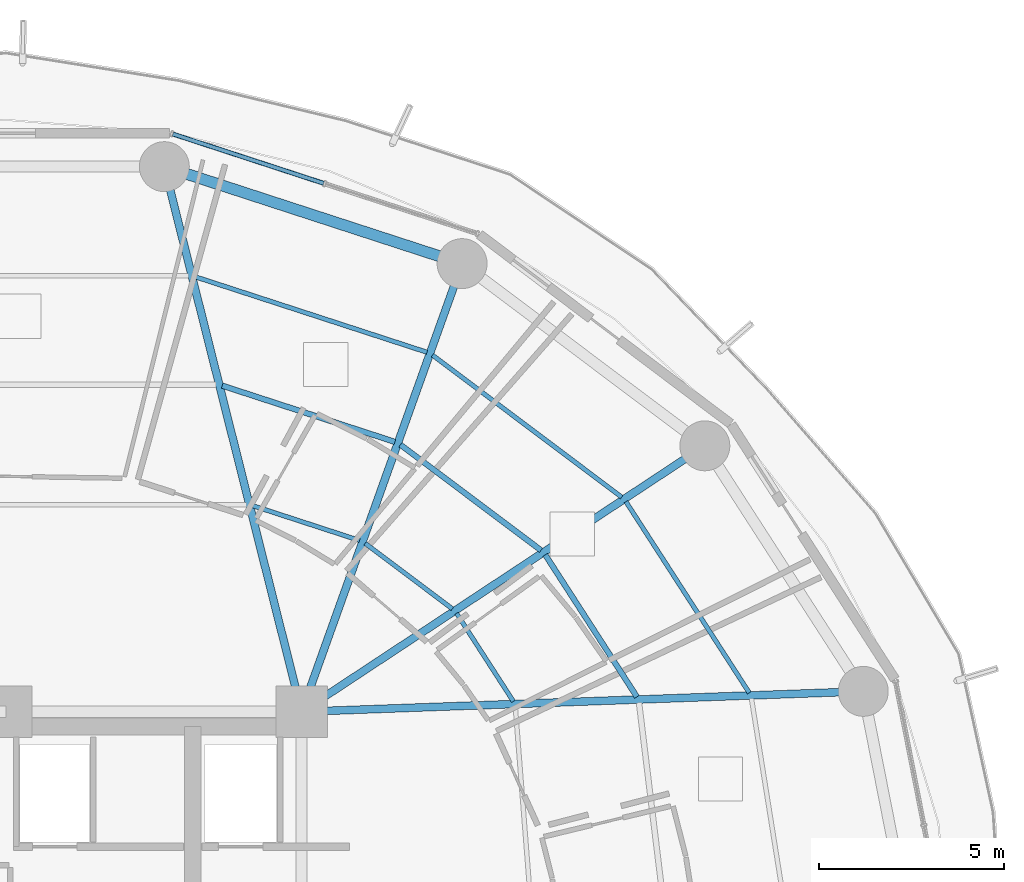
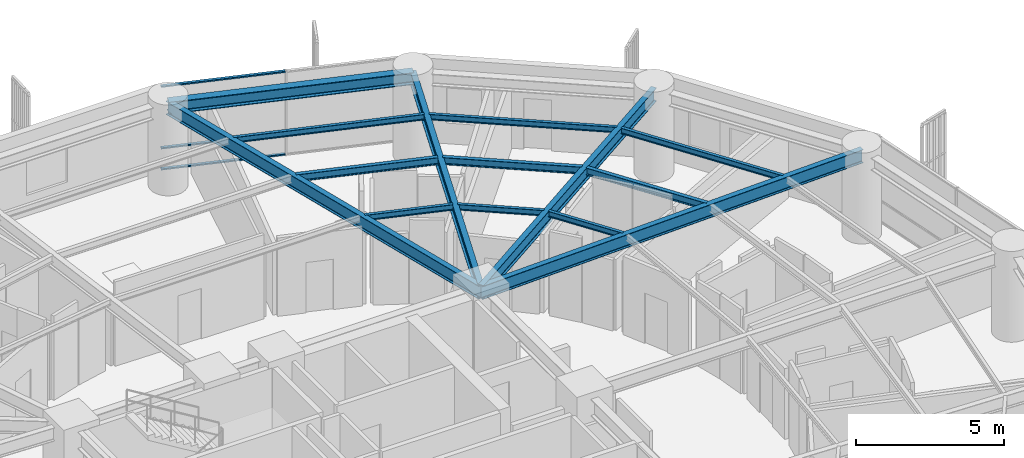
# One storey, part 23 of 36: 14 beams, 3 members, 1 element without a shape of its own.
"""IFC4 building model written with IfcOpenShell, lengths in metres."""

from ifc_helpers import new_model, si_unit, direction, frame, origin, origin_2d, place, context, subcontext, project, spatial, hollow_rectangle, i_section, extrude, material, layer, layer_set, material_profile, profile_set, type_object, element, aggregate, save


model = new_model("IFC4")

# Units and contexts
model_context = context("Model", 3, precision=1e-05, world=origin(), true_north=direction((0.0, 1.0)))
body_context = subcontext(model_context, "Body", "Model", "MODEL_VIEW")
ifc_project = project(units=[si_unit("LENGTHUNIT", "METRE"), si_unit("AREAUNIT", "SQUARE_METRE"), si_unit("VOLUMEUNIT", "CUBIC_METRE"), si_unit("PLANEANGLEUNIT", "RADIAN"), si_unit("MASSUNIT", "GRAM", prefix="KILO")], contexts=[model_context])

# Site, building, storey
site_placement = place(None, origin())
site = spatial("IfcSite", under=ifc_project, at=site_placement, CompositionType="ELEMENT")
building_placement = place(site_placement, origin())
building = spatial("IfcBuilding", under=site, at=building_placement, Name="Kelanora Arch Commons", CompositionType="ELEMENT")
storey_placement = place(building_placement, frame((0.0, 0.0, 98.85009765625)))
storey = spatial("IfcBuildingStorey", under=building, at=storey_placement, Name="L25", CompositionType="ELEMENT", Elevation=98.85009765625)

# Beams
ifc_material_1 = material(Name="Steel S355", Category="steel")
ifc_material_profile_1 = material_profile(ifc_material_1, i_section(OverallWidth=0.14990234375, OverallDepth=0.300048828125, WebThickness=0.007080078125, FlangeThickness=0.0107421875, FilletRadius=0.014892578125, at=origin_2d()), Name="IPE300")
ifc_profile_set_1 = profile_set([ifc_material_profile_1], Name="Steel S355")
beam_type_1 = type_object("IfcBeamType", Name="BM-JST-01", PredefinedType="JOIST", material=ifc_profile_set_1)
beam_1_placement = place(storey_placement, frame((91.06884765625, 65.402587890625, 3.33984375), z_axis=(-0.542230243286, 0.840229946661, 0.0), x_axis=(-0.840229946661, -0.542230243286, 0.0)))
element("IfcBeam", 1, at=beam_1_placement, inside=storey, type_object=beam_type_1, Name="Secondary Chord Joist BJB-02 L25", PredefinedType="JOIST", context=body_context, shape_type="SweptSolid", body=[
    extrude(i_section(OverallWidth=0.14990234375, OverallDepth=0.300048828125, WebThickness=0.007080078125, FlangeThickness=0.0107421875, FilletRadius=0.014892578125, at=origin_2d()), origin(), (0.0, 0.0, 1.0), 4.572265625),
])
beam_2_placement = place(storey_placement, frame((88.4755859375, 69.36669921875, 3.33984375), z_axis=(-0.79971039107, 0.600385951214, 0.0), x_axis=(-0.600385951214, -0.79971039107, 0.0)))
element("IfcBeam", 2, at=beam_2_placement, inside=storey, type_object=beam_type_1, Name="Secondary Chord Joist BJB-04 L25", PredefinedType="JOIST", context=body_context, shape_type="SweptSolid", body=[
    extrude(i_section(OverallWidth=0.14990234375, OverallDepth=0.300048828125, WebThickness=0.007080078125, FlangeThickness=0.0107421875, FilletRadius=0.014892578125, at=origin_2d()), origin(), (0.0, 0.0, 1.0), 4.756103515625),
])
beam_3_placement = place(storey_placement, frame((84.523193359375, 72.29931640625, 3.33984375), z_axis=(-0.950857140254, 0.309629938521, 0.0), x_axis=(-0.309629938521, -0.950857140254, 0.0)))
element("IfcBeam", 3, at=beam_3_placement, inside=storey, type_object=beam_type_1, Name="Secondary Chord Joist BJB-06 L25", PredefinedType="JOIST", context=body_context, shape_type="SweptSolid", body=[
    extrude(i_section(OverallWidth=0.14990234375, OverallDepth=0.300048828125, WebThickness=0.007080078125, FlangeThickness=0.0107421875, FilletRadius=0.014892578125, at=origin_2d()), origin(), (0.0, 0.0, 1.0), 4.912353515625),
])
ifc_material_profile_2 = material_profile(ifc_material_1, i_section(OverallWidth=0.1201171875, OverallDepth=0.239990234375, WebThickness=0.006103515625, FlangeThickness=0.009765625, FilletRadius=0.014892578125, at=origin_2d()), Name="IPE240")
ifc_profile_set_2 = profile_set([ifc_material_profile_2], Name="Steel S355")
beam_type_2 = type_object("IfcBeamType", Name="BM-JST-02", PredefinedType="JOIST", material=ifc_profile_set_2)
beam_4_placement = place(storey_placement, frame((87.726806640625, 65.281005859375, 3.369873046875), z_axis=(-0.542211255502, 0.840242199849, 0.0), x_axis=(-0.840242199849, -0.542211255502, 0.0)))
element("IfcBeam", 4, at=beam_4_placement, inside=storey, type_object=beam_type_2, Name="Secondary Chord Joist BJA-02 L25", PredefinedType="JOIST", context=body_context, shape_type="SweptSolid", body=[
    extrude(i_section(OverallWidth=0.1201171875, OverallDepth=0.239990234375, WebThickness=0.006103515625, FlangeThickness=0.009765625, FilletRadius=0.014892578125, at=origin_2d()), origin(), (0.0, 0.0, 1.0), 2.83349609375),
])
beam_5_placement = place(storey_placement, frame((94.107177734375, 65.512939453125, 3.369873046875), z_axis=(-0.542212726273, 0.840241250754, 0.0), x_axis=(-0.840241250754, -0.542212726273, 0.0)))
element("IfcBeam", 5, at=beam_5_placement, inside=storey, type_object=beam_type_2, Name="Secondary Chord Joist BJC-02 L25", PredefinedType="JOIST", context=body_context, shape_type="SweptSolid", body=[
    extrude(i_section(OverallWidth=0.1201171875, OverallDepth=0.239990234375, WebThickness=0.006103515625, FlangeThickness=0.009765625, FilletRadius=0.014892578125, at=origin_2d()), origin(), (0.0, 0.0, 1.0), 6.15283203125),
])
beam_6_placement = place(storey_placement, frame((86.076416015625, 67.7841796875, 3.369873046875), z_axis=(-0.799692034361, 0.600410401458, 0.0), x_axis=(-0.600410401458, -0.799692034361, 0.0)))
element("IfcBeam", 6, at=beam_6_placement, inside=storey, type_object=beam_type_2, Name="Secondary Chord Joist BJA-04 L25", PredefinedType="JOIST", context=body_context, shape_type="SweptSolid", body=[
    extrude(i_section(OverallWidth=0.1201171875, OverallDepth=0.239990234375, WebThickness=0.006103515625, FlangeThickness=0.009765625, FilletRadius=0.014892578125, at=origin_2d()), origin(), (0.0, 0.0, 1.0), 2.949951171875),
])
beam_7_placement = place(storey_placement, frame((90.65673828125, 70.805419921875, 3.369873046875), z_axis=(-0.799734335646, 0.600354055861, 0.0), x_axis=(-0.600354055861, -0.799734335646, 0.0)))
element("IfcBeam", 7, at=beam_7_placement, inside=storey, type_object=beam_type_2, Name="Secondary Chord Joist BJC-04 L25", PredefinedType="JOIST", context=body_context, shape_type="SweptSolid", body=[
    extrude(i_section(OverallWidth=0.1201171875, OverallDepth=0.239990234375, WebThickness=0.006103515625, FlangeThickness=0.009765625, FilletRadius=0.014892578125, at=origin_2d()), origin(), (0.0, 0.0, 1.0), 6.39794921875),
])
beam_8_placement = place(storey_placement, frame((83.568359375, 69.632568359375, 3.369873046875), z_axis=(-0.950846758946, 0.309661817151, 0.0), x_axis=(-0.309661817151, -0.950846758946, 0.0)))
element("IfcBeam", 8, at=beam_8_placement, inside=storey, type_object=beam_type_2, Name="Secondary Chord Joist BJA-06 L25", PredefinedType="JOIST", context=body_context, shape_type="SweptSolid", body=[
    extrude(i_section(OverallWidth=0.1201171875, OverallDepth=0.239990234375, WebThickness=0.006103515625, FlangeThickness=0.009765625, FilletRadius=0.014892578125, at=origin_2d()), origin(), (0.0, 0.0, 1.0), 3.048828125),
])
beam_9_placement = place(storey_placement, frame((85.39111328125, 74.723876953125, 3.369873046875), z_axis=(-0.950862829272, 0.309612467301, 0.0), x_axis=(-0.309612467301, -0.950862829272, 0.0)))
element("IfcBeam", 9, at=beam_9_placement, inside=storey, type_object=beam_type_2, Name="Secondary Chord Joist BJC-06 L25", PredefinedType="JOIST", context=body_context, shape_type="SweptSolid", body=[
    extrude(i_section(OverallWidth=0.1201171875, OverallDepth=0.239990234375, WebThickness=0.006103515625, FlangeThickness=0.009765625, FilletRadius=0.014892578125, at=origin_2d()), origin(), (0.0, 0.0, 1.0), 6.6064453125),
])
ifc_material_profile_3 = material_profile(ifc_material_1, i_section(OverallWidth=0.2099609375, OverallDepth=0.550048828125, WebThickness=0.010986328125, FlangeThickness=0.01708984375, FilletRadius=0.02392578125, at=origin_2d()), Name="IPE550")
ifc_profile_set_3 = profile_set([ifc_material_profile_3], Name="Steel S355")
beam_type_3 = type_object("IfcBeamType", Name="BM-RAD-Z2", PredefinedType="BEAM", material=ifc_profile_set_3)
beam_10_placement = place(storey_placement, frame((82.0, 65.0, 3.21484375), z_axis=(0.999341087625, 0.036295875581, 0.0), x_axis=(-0.036295875581, 0.999341087625, 0.0)))
element("IfcBeam", 10, at=beam_10_placement, inside=storey, type_object=beam_type_3, Name="Radial Floor Girder BR-02 L25", PredefinedType="BEAM", context=body_context, shape_type="SweptSolid", body=[
    extrude(i_section(OverallWidth=0.2099609375, OverallDepth=0.550048828125, WebThickness=0.010986328125, FlangeThickness=0.01708984375, FilletRadius=0.02392578125, at=origin_2d()), origin(), (0.0, 0.0, 1.0), 15.20166015625),
])
beam_11_placement = place(storey_placement, frame((82.0, 65.0, 3.21484375), z_axis=(0.834788577908, 0.550570640512, 0.0), x_axis=(-0.550570640512, 0.834788577908, 0.0)))
element("IfcBeam", 11, at=beam_11_placement, inside=storey, type_object=beam_type_3, Name="Radial Floor Girder BR-04 L25", PredefinedType="BEAM", context=body_context, shape_type="SweptSolid", body=[
    extrude(i_section(OverallWidth=0.2099609375, OverallDepth=0.550048828125, WebThickness=0.010986328125, FlangeThickness=0.01708984375, FilletRadius=0.02392578125, at=origin_2d()), origin(), (0.0, 0.0, 1.0), 13.064453125),
])
beam_12_placement = place(storey_placement, frame((82.0, 65.0, 3.21484375), z_axis=(0.337084640008, 0.941474346687, 0.0), x_axis=(-0.941474346687, 0.337084640008, 0.0)))
element("IfcBeam", 12, at=beam_12_placement, inside=storey, type_object=beam_type_3, Name="Radial Floor Girder BR-06 L25", PredefinedType="BEAM", context=body_context, shape_type="SweptSolid", body=[
    extrude(i_section(OverallWidth=0.2099609375, OverallDepth=0.550048828125, WebThickness=0.010986328125, FlangeThickness=0.01708984375, FilletRadius=0.02392578125, at=origin_2d()), origin(), (0.0, 0.0, 1.0), 12.875244140625),
])
beam_13_placement = place(storey_placement, frame((82.0, 65.0, 3.21484375), z_axis=(-0.244280647475, 0.969704576286, 0.0), x_axis=(-0.969704576286, -0.244280647475, 0.0)))
element("IfcBeam", 13, at=beam_13_placement, inside=storey, type_object=beam_type_3, Name="Radial Floor Girder BR-08 L25", PredefinedType="BEAM", context=body_context, shape_type="SweptSolid", body=[
    extrude(i_section(OverallWidth=0.2099609375, OverallDepth=0.550048828125, WebThickness=0.010986328125, FlangeThickness=0.01708984375, FilletRadius=0.02392578125, at=origin_2d()), origin(), (0.0, 0.0, 1.0), 15.205322265625),
])
ifc_material_profile_4 = material_profile(ifc_material_1, i_section(OverallWidth=0.300048828125, OverallDepth=0.5, WebThickness=0.014404296875, FlangeThickness=0.028076171875, FilletRadius=0.027099609375, at=origin_2d()), Name="HEB500")
ifc_profile_set_4 = profile_set([ifc_material_profile_4], Name="Steel S355")
beam_type_4 = type_object("IfcBeamType", Name="BM-SPN-Z2", PredefinedType="SPANDREL", material=ifc_profile_set_4)
beam_14_placement = place(storey_placement, frame((86.340087890625, 77.121826171875, 3.239990234375), z_axis=(-0.950856631974, 0.309631499418, 0.0), x_axis=(-0.309631499418, -0.950856631974, 0.0)))
element("IfcBeam", 14, at=beam_14_placement, inside=storey, type_object=beam_type_4, Name="Perimeter Spandrel Beam BS-06 L25", PredefinedType="SPANDREL", context=body_context, shape_type="SweptSolid", body=[
    extrude(i_section(OverallWidth=0.300048828125, OverallDepth=0.5, WebThickness=0.014404296875, FlangeThickness=0.028076171875, FilletRadius=0.027099609375, at=origin_2d()), origin(), (0.0, 0.0, 1.0), 8.470703125),
])

# Curtain wall, members
ifc_material_2 = material(Name="Terracotta ceramic-fritted low-E glass and aluminium", Category="masonry")
ifc_layer = layer(ifc_material_2, 0.159912109375)
ifc_layer_set = layer_set([ifc_layer], Name="Terracotta ceramic-fritted low-E glass and aluminium")
curtain_wall_type = type_object("IfcCurtainWallType", Name="CW-SYS-01", PredefinedType="NOTDEFINED", material=ifc_layer_set)
curtain_wall_placement = place(storey_placement, origin())
curtain_wall = element("IfcCurtainWall", 15, at=curtain_wall_placement, inside=storey, type_object=curtain_wall_type, Name="Unitised Curtain Wall L25-B03", PredefinedType="NOTDEFINED")
ifc_material_3 = material(Name="Powder-coated aluminium terracotta", Category="masonry")
ifc_material_profile_5 = material_profile(ifc_material_3, hollow_rectangle(XDim=0.1201171875, YDim=0.06005859375, WallThickness=0.0048828125, InnerFilletRadius=0.0048828125, OuterFilletRadius=0.010009765625, at=origin_2d()), Name="CWT120x60")
ifc_profile_set_5 = profile_set([ifc_material_profile_5], Name="Powder-coated aluminium terracotta")
member_type = type_object("IfcMemberType", Name="CWT-STD", PredefinedType="USERDEFINED", material=ifc_profile_set_5)
member_1_placement = place(storey_placement, frame((82.59423828125, 79.2939453125, 0.02978515625), z_axis=(-0.950477544745, 0.31079323824, 0.0), x_axis=(-0.31079323824, -0.950477544745, 0.0)))
member_1 = element("IfcMember", 16, at=member_1_placement, type_object=member_type, Name="CW-01 transom 2.1", ObjectType="TRANSOM", PredefinedType="USERDEFINED", context=body_context, shape_type="SweptSolid", body=[
    extrude(hollow_rectangle(XDim=0.1201171875, YDim=0.06005859375, WallThickness=0.0048828125, InnerFilletRadius=0.0048828125, OuterFilletRadius=0.010009765625, at=origin_2d()), origin(), (0.0, 0.0, 1.0), 4.289794921875),
])
member_2_placement = place(storey_placement, frame((82.59423828125, 79.2939453125, 0.89990234375), z_axis=(-0.950477544745, 0.31079323824, 0.0), x_axis=(-0.31079323824, -0.950477544745, 0.0)))
member_2 = element("IfcMember", 17, at=member_2_placement, type_object=member_type, Name="CW-01 transom 2.2", ObjectType="TRANSOM", PredefinedType="USERDEFINED", context=body_context, shape_type="SweptSolid", body=[
    extrude(hollow_rectangle(XDim=0.1201171875, YDim=0.06005859375, WallThickness=0.0048828125, InnerFilletRadius=0.0048828125, OuterFilletRadius=0.010009765625, at=origin_2d()), origin(), (0.0, 0.0, 1.0), 4.289794921875),
])
member_3_placement = place(storey_placement, frame((82.59423828125, 79.2939453125, 3.44482421875), z_axis=(-0.950477544745, 0.31079323824, 0.0), x_axis=(-0.31079323824, -0.950477544745, 0.0)))
member_3 = element("IfcMember", 18, at=member_3_placement, type_object=member_type, Name="CW-01 transom 2.3", ObjectType="TRANSOM", PredefinedType="USERDEFINED", context=body_context, shape_type="SweptSolid", body=[
    extrude(hollow_rectangle(XDim=0.1201171875, YDim=0.06005859375, WallThickness=0.0048828125, InnerFilletRadius=0.0048828125, OuterFilletRadius=0.010009765625, at=origin_2d()), origin(), (0.0, 0.0, 1.0), 4.289794921875),
])
aggregate(curtain_wall, [member_1, member_2, member_3])

save(model, "model.ifc")
